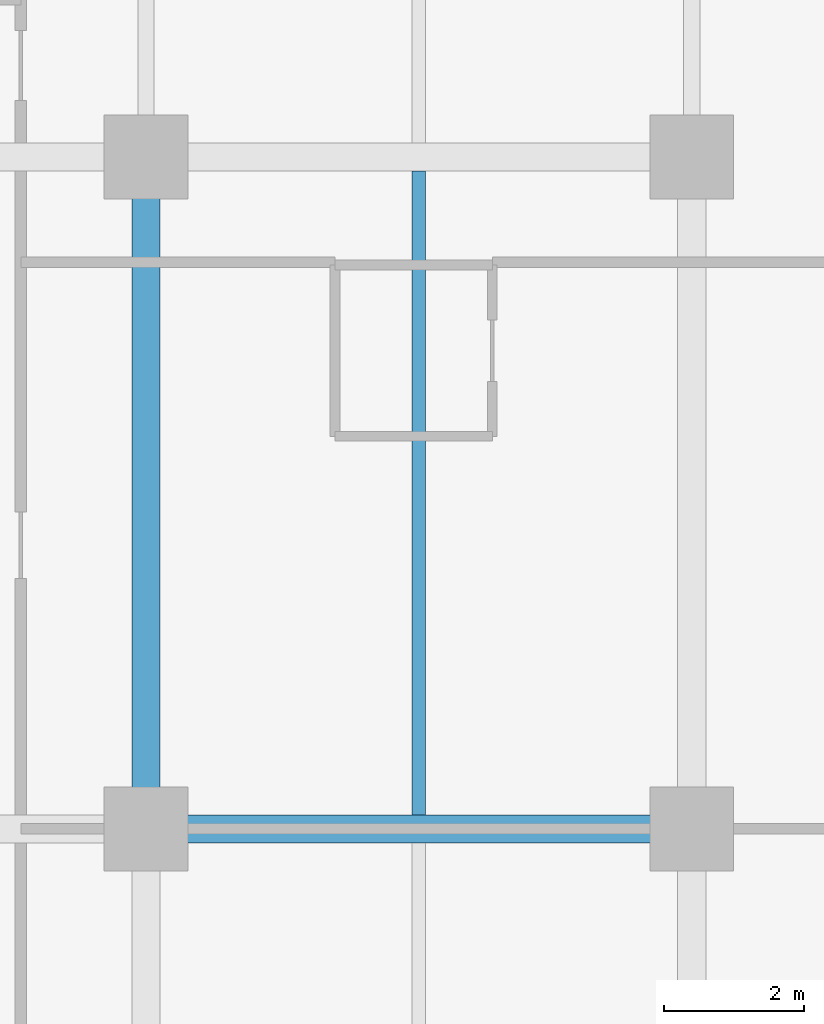
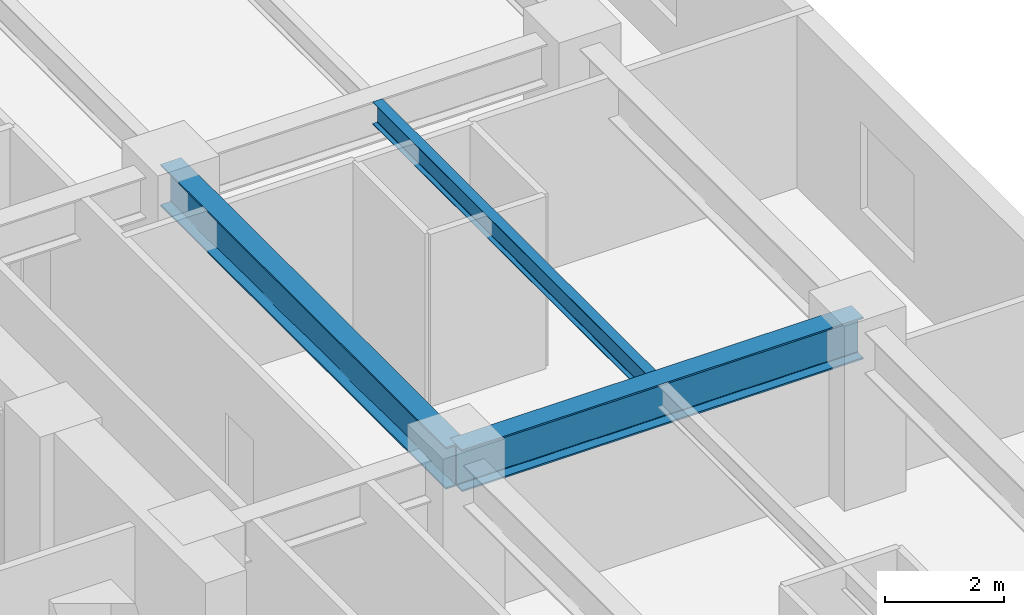
# One storey, part 2 of 11: 3 beams.
"""IFC4 building model written with IfcOpenShell, lengths in metres."""

from ifc_helpers import new_model, si_unit, direction, frame, origin, origin_2d, place, context, subcontext, project, spatial, i_section, extrude, material, material_profile, profile_set, type_object, element, save


model = new_model("IFC4")

# Units and contexts
model_context = context("Model", 3, precision=1e-05, world=origin(), true_north=direction((0.0, 1.0)))
body_context = subcontext(model_context, "Body", "Model", "MODEL_VIEW")
ifc_project = project(units=[si_unit("LENGTHUNIT", "METRE"), si_unit("AREAUNIT", "SQUARE_METRE"), si_unit("VOLUMEUNIT", "CUBIC_METRE"), si_unit("PLANEANGLEUNIT", "RADIAN"), si_unit("MASSUNIT", "GRAM", prefix="KILO")], contexts=[model_context])

# Site, building, storey
site_placement = place(None, origin())
site = spatial("IfcSite", under=ifc_project, at=site_placement, CompositionType="ELEMENT")
building_placement = place(site_placement, origin())
building = spatial("IfcBuilding", under=site, at=building_placement, Name="Kestravale Grand Hotel", CompositionType="ELEMENT")
storey_placement = place(building_placement, frame((0.0, 0.0, 84.199951171875)))
storey = spatial("IfcBuildingStorey", under=building, at=storey_placement, Name="L20", CompositionType="ELEMENT", Elevation=84.199951171875)

# Beams
ifc_material_1 = material(Name="Steel ASTM A992 Grade 50", Category="steel")
ifc_material_profile_1 = material_profile(ifc_material_1, i_section(OverallWidth=0.19091796875, OverallDepth=0.45703125, WebThickness=0.009033203125, FlangeThickness=0.014404296875, FilletRadius=0.015380859375, at=origin_2d()))
ifc_profile_set_1 = profile_set([ifc_material_profile_1], Name="Steel ASTM A992 Grade 50")
beam_type_1 = type_object("IfcBeamType", Name="B-FLR-JST18", PredefinedType="JOIST", material=ifc_profile_set_1)
beam_1_placement = place(storey_placement, frame((66.300048828125, 29.00048828125, 3.3115234375), z_axis=(0.0, 1.0, 0.0), x_axis=(-1.0, 0.0, 0.0)))
element("IfcBeam", 1, at=beam_1_placement, inside=storey, type_object=beam_type_1, Name="L20 floor joist 10-11/E-F #1", PredefinedType="JOIST", context=body_context, shape_type="SweptSolid", body=[
    extrude(i_section(OverallWidth=0.19091796875, OverallDepth=0.45703125, WebThickness=0.009033203125, FlangeThickness=0.014404296875, FilletRadius=0.015380859375, at=origin_2d()), origin(), (0.0, 0.0, 1.0), 9.198974609375),
])
ifc_material_2 = material(Name="Steel ASTM A992 Grade 50", Category="steel")
ifc_material_profile_2 = material_profile(ifc_material_2, i_section(OverallWidth=0.40087890625, OverallDepth=0.861083984375, WebThickness=0.019775390625, FlangeThickness=0.032470703125, FilletRadius=0.0234375, at=origin_2d()))
ifc_profile_set_2 = profile_set([ifc_material_profile_2], Name="Steel ASTM A992 Grade 50")
beam_type_2 = type_object("IfcBeamType", Name="B-GRD-W33", PredefinedType="BEAM", material=ifc_profile_set_2)
beam_2_placement = place(storey_placement, frame((62.39990234375, 28.800048828125, 3.109619140625), z_axis=(1.0, 0.0, 0.0), x_axis=(0.0, 1.0, 0.0)))
element("IfcBeam", 2, at=beam_2_placement, inside=storey, type_object=beam_type_2, Name="L20 girder E:10-11", PredefinedType="BEAM", context=body_context, shape_type="SweptSolid", body=[
    extrude(i_section(OverallWidth=0.40087890625, OverallDepth=0.861083984375, WebThickness=0.019775390625, FlangeThickness=0.032470703125, FilletRadius=0.0234375, at=origin_2d()), origin(), (0.0, 0.0, 1.0), 7.800048828125),
])
beam_3_placement = place(storey_placement, frame((62.39990234375, 28.800048828125, 3.109619140625), z_axis=(0.0, 1.0, 0.0), x_axis=(-1.0, 0.0, 0.0)))
element("IfcBeam", 3, at=beam_3_placement, inside=storey, type_object=beam_type_2, Name="L20 girder 10:E-F", PredefinedType="BEAM", context=body_context, shape_type="SweptSolid", body=[
    extrude(i_section(OverallWidth=0.40087890625, OverallDepth=0.861083984375, WebThickness=0.019775390625, FlangeThickness=0.032470703125, FilletRadius=0.0234375, at=origin_2d()), origin(), (0.0, 0.0, 1.0), 9.599853515625),
])

save(model, "model.ifc")
